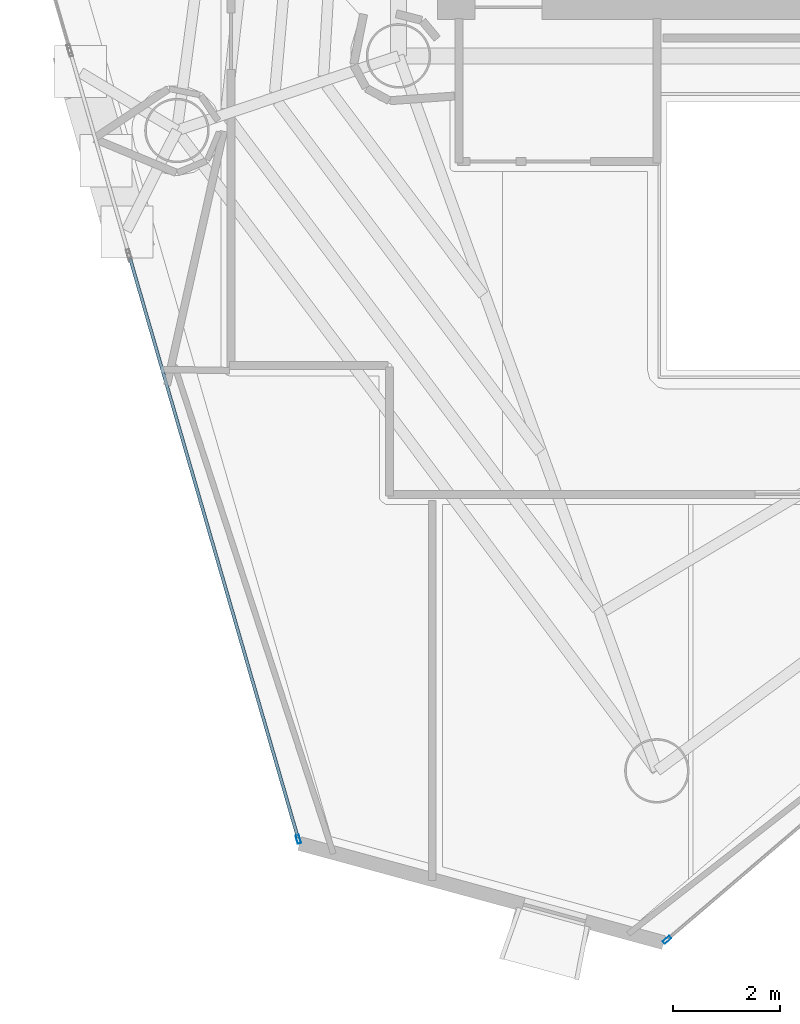
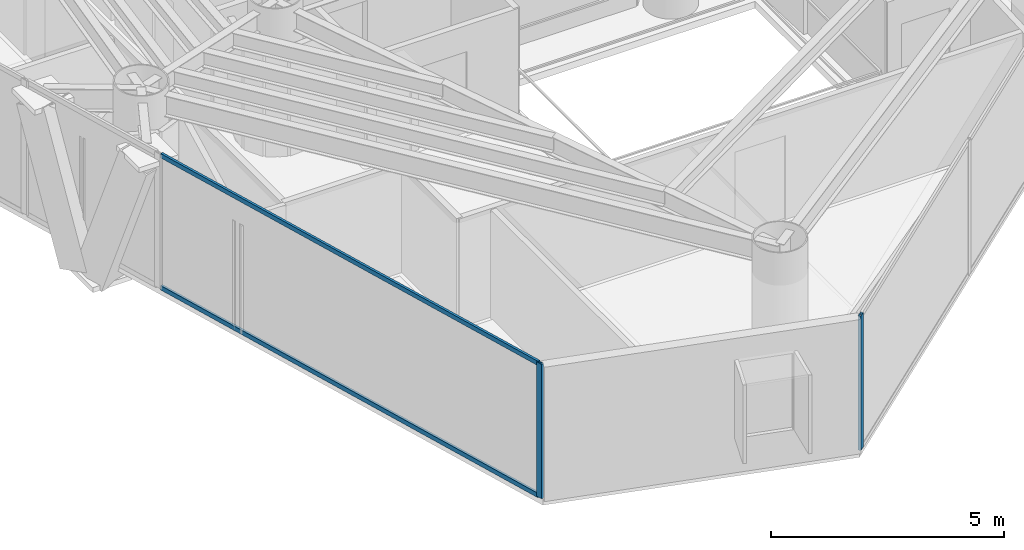
# One storey, part 2 of 23: 4 members, 2 elements without a shape of their own.
"""IFC4 building model written with IfcOpenShell, lengths in metres."""

from ifc_helpers import new_model, si_unit, direction, frame, origin, origin_2d, place, context, subcontext, project, spatial, hollow_rectangle, extrude, material, layer, layer_set, material_profile, profile_set, type_object, element, aggregate, save


model = new_model("IFC4")

# Units and contexts
model_context = context("Model", 3, precision=1e-05, world=origin(), true_north=direction((0.0, 1.0)))
body_context = subcontext(model_context, "Body", "Model", "MODEL_VIEW")
ifc_project = project(units=[si_unit("LENGTHUNIT", "METRE"), si_unit("AREAUNIT", "SQUARE_METRE"), si_unit("VOLUMEUNIT", "CUBIC_METRE"), si_unit("PLANEANGLEUNIT", "RADIAN"), si_unit("MASSUNIT", "GRAM", prefix="KILO")], contexts=[model_context])

# Site, building, storey
site_placement = place(None, origin())
site = spatial("IfcSite", under=ifc_project, at=site_placement, CompositionType="ELEMENT")
building_placement = place(site_placement, origin())
building = spatial("IfcBuilding", under=site, at=building_placement, Name="Qianvela Tower", CompositionType="ELEMENT")
storey_placement = place(building_placement, frame((0.0, 0.0, 215.10009765625)))
storey = spatial("IfcBuildingStorey", under=building, at=storey_placement, Name="L55", CompositionType="ELEMENT", Elevation=215.10009765625)

# Curtain wall, member
ifc_material_1 = material(Name="Anodised Architectural Aluminium and Low-E Glass", Category="aluminium")
ifc_layer = layer(ifc_material_1, 0.159912109375)
ifc_layer_set = layer_set([ifc_layer], Name="Anodised Architectural Aluminium and Low-E Glass")
curtain_wall_type = type_object("IfcCurtainWallType", Name="CW-COLIV-Z56", PredefinedType="USERDEFINED", material=ifc_layer_set)
curtain_wall_1_placement = place(storey_placement, origin())
curtain_wall_1 = element("IfcCurtainWall", 1, at=curtain_wall_1_placement, inside=storey, type_object=curtain_wall_type, Name="L55 CW-COLIV-Z56 Curtain Wall 04C", ObjectType="CURTAIN_WALL_SYSTEM", PredefinedType="USERDEFINED")
ifc_material_2 = material(Name="Anodised Architectural Aluminium 6063-T6", Category="aluminium")
ifc_material_profile_1 = material_profile(ifc_material_2, hollow_rectangle(XDim=0.06494140625, YDim=0.159912109375, WallThickness=0.0048828125, at=origin_2d()), Name="ALU-MULL-65x160")
ifc_profile_set_1 = profile_set([ifc_material_profile_1], Name="Anodised Architectural Aluminium 6063-T6")
member_type_1 = type_object("IfcMemberType", Name="CW-COLIV-Z56-MULL", PredefinedType="MULLION", material=ifc_profile_set_1)
member_1_placement = place(storey_placement, frame((26.73486328125, 9.25439453125, 0.0), z_axis=(0.0, 0.0, 1.0), x_axis=(0.960487819106, 0.278322024548, 0.0)))
member_1 = element("IfcMember", 2, at=member_1_placement, type_object=member_type_1, Name="CW-5 mullion 2", PredefinedType="MULLION", context=body_context, shape_type="SweptSolid", body=[
    extrude(hollow_rectangle(XDim=0.06494140625, YDim=0.159912109375, WallThickness=0.0048828125, at=origin_2d()), origin(), (0.0, 0.0, 1.0), 3.52001953125),
])

curtain_wall_2_placement = place(storey_placement, origin())
curtain_wall_2 = element("IfcCurtainWall", 3, at=curtain_wall_2_placement, inside=storey, type_object=curtain_wall_type, Name="L55 CW-COLIV-Z56 Curtain Wall 06A", ObjectType="CURTAIN_WALL_SYSTEM", PredefinedType="USERDEFINED")
member_2_placement = place(storey_placement, frame((33.601806640625, 7.383056640625, 0.0), z_axis=(0.0, 0.0, 1.0), x_axis=(-0.649620040422, 0.76025903683, 0.0)))
member_2 = element("IfcMember", 4, at=member_2_placement, type_object=member_type_1, Name="CW-5 mullion 1", PredefinedType="MULLION", context=body_context, shape_type="SweptSolid", body=[
    extrude(hollow_rectangle(XDim=0.06494140625, YDim=0.159912109375, WallThickness=0.0048828125, at=origin_2d()), origin(), (0.0, 0.0, 1.0), 3.52001953125),
])
aggregate(curtain_wall_2, [member_2])

# Member
ifc_material_3 = material(Name="Anodised Architectural Aluminium 6063-T6", Category="aluminium")
ifc_material_profile_2 = material_profile(ifc_material_3, hollow_rectangle(XDim=0.06005859375, YDim=0.114990234375, WallThickness=0.00390625, at=origin_2d()), Name="ALU-TRAN-60x115")
ifc_profile_set_2 = profile_set([ifc_material_profile_2], Name="Anodised Architectural Aluminium 6063-T6")
member_type_2 = type_object("IfcMemberType", Name="CW-COLIV-Z56-TRAN", PredefinedType="USERDEFINED", material=ifc_profile_set_2)
member_3_placement = place(storey_placement, frame((23.60009765625, 20.072509765625, 0.02978515625), z_axis=(0.278322516007, -0.960487676695, 0.0), x_axis=(0.960487676695, 0.278322516007, 0.0)))
member_3 = element("IfcMember", 5, at=member_3_placement, type_object=member_type_2, Name="CW-5 transom 1.1", ObjectType="TRANSOM", PredefinedType="USERDEFINED", context=body_context, shape_type="SweptSolid", body=[
    extrude(hollow_rectangle(XDim=0.06005859375, YDim=0.114990234375, WallThickness=0.00390625, at=origin_2d()), origin(), (0.0, 0.0, 1.0), 11.230712890625),
])

member_4_placement = place(storey_placement, frame((23.60009765625, 20.072509765625, 3.489990234375), z_axis=(0.278322516007, -0.960487676695, 0.0), x_axis=(0.960487676695, 0.278322516007, 0.0)))
member_4 = element("IfcMember", 6, at=member_4_placement, type_object=member_type_2, Name="CW-5 transom 1.2", ObjectType="TRANSOM", PredefinedType="USERDEFINED", context=body_context, shape_type="SweptSolid", body=[
    extrude(hollow_rectangle(XDim=0.06005859375, YDim=0.114990234375, WallThickness=0.00390625, at=origin_2d()), origin(), (0.0, 0.0, 1.0), 11.230712890625),
])

aggregate(curtain_wall_1, [member_1, member_3, member_4])

save(model, "model.ifc")
